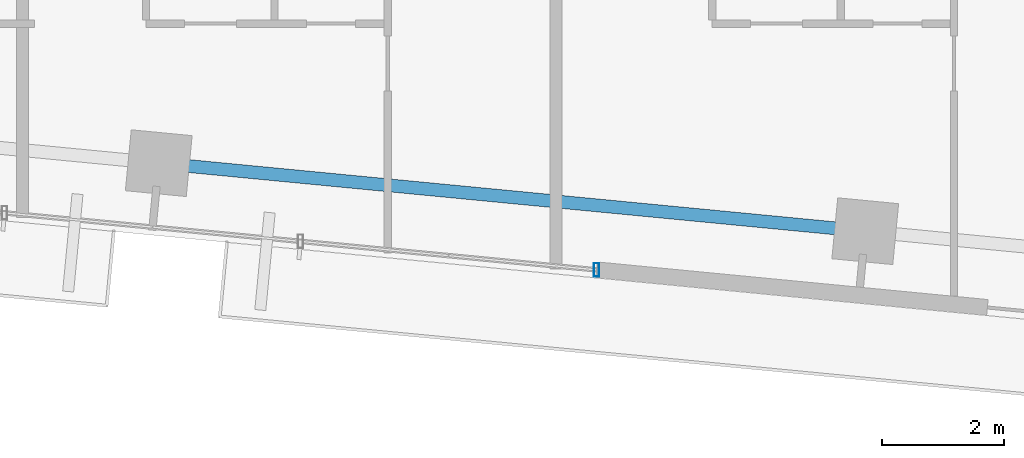
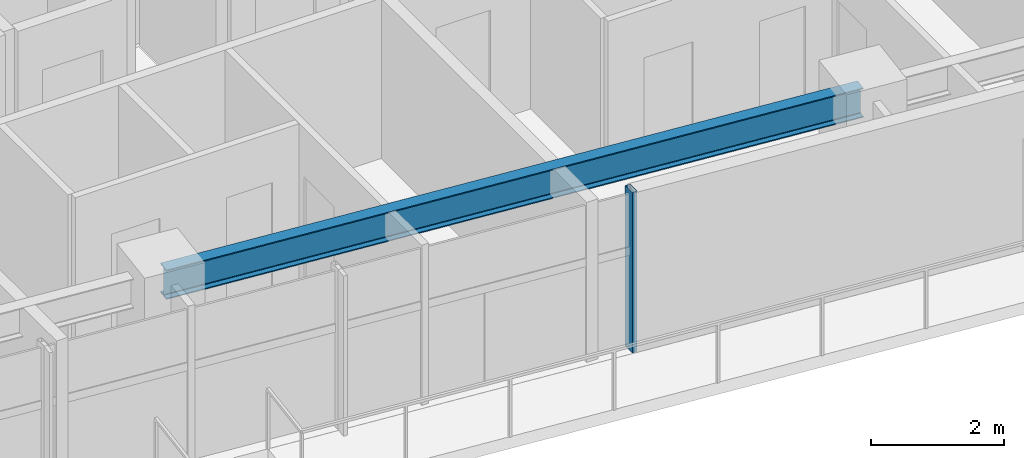
# One storey, part 8 of 19: 1 beam, 1 member, 1 element without a shape of its own.
"""IFC4 building model written with IfcOpenShell, lengths in metres."""

from ifc_helpers import new_model, si_unit, direction, frame, origin, origin_2d, place, context, subcontext, project, spatial, hollow_rectangle, i_section, extrude, source, transform, mapped, material, material_profile, profile_set, type_object, type_shapes, element, aggregate, save


model = new_model("IFC4")

# Units and contexts
model_context = context("Model", 3, precision=1e-05, world=origin(), true_north=direction((0.0, 1.0)))
body_context = subcontext(model_context, "Body", "Model", "MODEL_VIEW")
ifc_project = project(units=[si_unit("LENGTHUNIT", "METRE"), si_unit("AREAUNIT", "SQUARE_METRE"), si_unit("VOLUMEUNIT", "CUBIC_METRE"), si_unit("PLANEANGLEUNIT", "RADIAN"), si_unit("MASSUNIT", "GRAM", prefix="KILO")], contexts=[model_context])

# Site, building, storey
site_placement = place(None, origin())
site = spatial("IfcSite", under=ifc_project, at=site_placement, CompositionType="ELEMENT")
building_placement = place(site_placement, origin())
building = spatial("IfcBuilding", under=site, at=building_placement, Name="Astriad Promenade Condominiums", CompositionType="ELEMENT")
storey_placement = place(building_placement, frame((0.0, 0.0, 147.0)))
storey = spatial("IfcBuildingStorey", under=building, at=storey_placement, Name="L42", CompositionType="ELEMENT", Elevation=147.0)

# Beam
ifc_material_1 = material(Name="Steel ASTM A992 Grade 50", Category="steel")
ifc_material_profile_1 = material_profile(ifc_material_1, i_section(OverallWidth=0.210693359375, OverallDepth=0.53955078125, WebThickness=0.01171875, FlangeThickness=0.018798828125, FilletRadius=0.0166015625, at=origin_2d()), Name="W21X73")
ifc_profile_set_1 = profile_set([ifc_material_profile_1], Name="Steel ASTM A992 Grade 50")
beam_type = type_object("IfcBeamType", Name="STEEL SPANDREL BEAM W21X73", PredefinedType="SPANDREL", material=ifc_profile_set_1)
shared_shape_1 = source(origin(), body_context, "Body", "SweptSolid", [
    extrude(i_section(OverallWidth=0.210693359375, OverallDepth=0.53955078125, WebThickness=0.01171875, FlangeThickness=0.018798828125, FilletRadius=0.0166015625, at=origin_2d()), origin(), (0.0, 0.0, 1.0), 11.52001953125),
])
type_shapes(beam_type, [shared_shape_1])
beam_placement = place(storey_placement, frame((32.013671875, 8.2158203125, 2.67041015625), z_axis=(0.995397412028, -0.095833147335, 0.0), x_axis=(0.095833147335, 0.995397412028, 0.0)))
element("IfcBeam", 1, at=beam_placement, inside=storey, type_object=beam_type, Name="Perimeter Spandrel Beam SP-S3-L42", PredefinedType="SPANDREL", context=body_context, shape_type="MappedRepresentation", body=[
    mapped(shared_shape_1, transform((0.0, 0.0, 0.0), scale=1.0)),
])

# Curtain wall, member
ifc_material_2 = material(Name="Anodised aluminium Black Dark Glass Unitised", Category="aluminium")
curtain_wall_type = type_object("IfcCurtainWallType", Name="CW-B34-DARK", PredefinedType="USERDEFINED", material=ifc_material_2)
curtain_wall_placement = place(storey_placement, origin())
curtain_wall = element("IfcCurtainWall", 2, at=curtain_wall_placement, inside=storey, type_object=curtain_wall_type, Name="CW-L42-S", ObjectType="UNITISED_CURTAIN_WALL", PredefinedType="USERDEFINED")
ifc_material_3 = material(Name="Anodised aluminium 6063-T6 Black", Category="aluminium")
ifc_material_profile_2 = material_profile(ifc_material_3, hollow_rectangle(XDim=0.0849609375, YDim=0.219970703125, WallThickness=0.0048828125, at=origin_2d()), Name="ALU-MUL-85X220")
ifc_profile_set_2 = profile_set([ifc_material_profile_2], Name="Anodised aluminium 6063-T6 Black")
member_type = type_object("IfcMemberType", Name="MUL-ALU-MUL-85X220", PredefinedType="MULLION", material=ifc_profile_set_2)
shared_shape_2 = source(origin(), body_context, "Body", "SweptSolid", [
    extrude(hollow_rectangle(XDim=0.0849609375, YDim=0.219970703125, WallThickness=0.0048828125, at=origin_2d()), origin(), (0.0, 0.0, 1.0), 2.93994140625),
])
type_shapes(member_type, [shared_shape_2])
member_placement = place(storey_placement, frame((39.129638671875, 6.475830078125, 0.0), z_axis=(0.0, 0.0, 1.0), x_axis=(1.0, 0.0, 0.0)))
member = element("IfcMember", 3, at=member_placement, type_object=member_type, Name="CW-L42-S-MUL-00", PredefinedType="MULLION", context=body_context, shape_type="MappedRepresentation", body=[
    mapped(shared_shape_2, transform((0.0, 0.0, 0.0), scale=1.0)),
])
aggregate(curtain_wall, [member])

save(model, "model.ifc")
